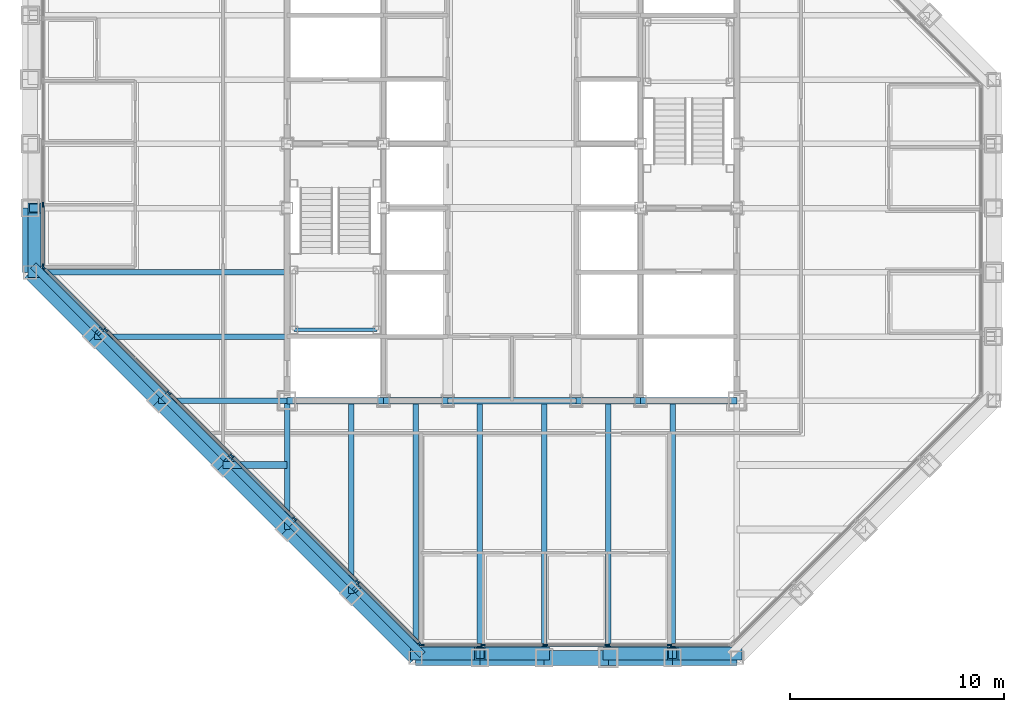
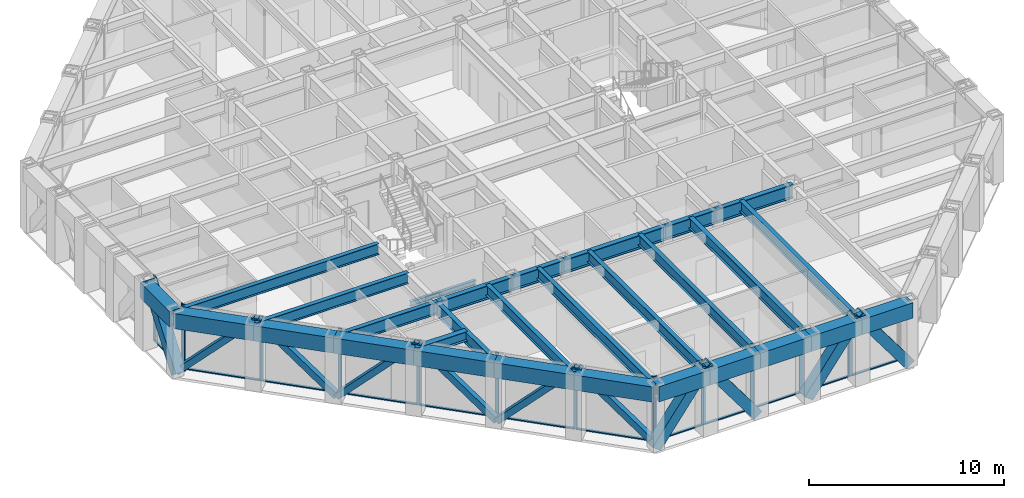
# One storey, part 5 of 16: 37 members, 29 beams, 3 elements without a shape of their own.
"""IFC4 building model written with IfcOpenShell, lengths in metres."""

from ifc_helpers import new_model, si_unit, direction, frame, origin, origin_2d, place, context, subcontext, project, spatial, rectangle, hollow_rectangle, i_section, extrude, material, layer, layer_set, material_profile, profile_set, type_object, element, aggregate, save


model = new_model("IFC4")

# Units and contexts
model_context = context("Model", 3, precision=1e-05, world=origin(), true_north=direction((0.0, 1.0)))
body_context = subcontext(model_context, "Body", "Model", "MODEL_VIEW")
ifc_project = project(units=[si_unit("LENGTHUNIT", "METRE"), si_unit("AREAUNIT", "SQUARE_METRE"), si_unit("VOLUMEUNIT", "CUBIC_METRE"), si_unit("PLANEANGLEUNIT", "RADIAN"), si_unit("MASSUNIT", "GRAM", prefix="KILO")], contexts=[model_context])

# Site, building, storey
site_placement = place(None, origin())
site = spatial("IfcSite", under=ifc_project, at=site_placement, CompositionType="ELEMENT")
building_placement = place(site_placement, origin())
building = spatial("IfcBuilding", under=site, at=building_placement, Name="Chuquiago Exchange Tower", CompositionType="ELEMENT")
storey_placement = place(building_placement, frame((0.0, 0.0, 243.300048828125)))
storey = spatial("IfcBuildingStorey", under=building, at=storey_placement, Name="L54", CompositionType="ELEMENT", Elevation=243.300048828125)

# Beams
ifc_material_1 = material(Name="Steel ASTM A992", Category="steel")
ifc_material_profile_1 = material_profile(ifc_material_1, i_section(OverallWidth=0.25390625, OverallDepth=0.683349609375, WebThickness=0.012451171875, FlangeThickness=0.018798828125, at=origin_2d()), Name="W27X94")
ifc_profile_set_1 = profile_set([ifc_material_profile_1], Name="Steel ASTM A992")
beam_type_1 = type_object("IfcBeamType", Name="B1 W27X94", PredefinedType="BEAM", material=ifc_profile_set_1)
beam_1_placement = place(storey_placement, frame((15.0, 12.0, 3.6982421875), z_axis=(0.0, -1.0, 0.0), x_axis=(1.0, 0.0, 0.0)))
element("IfcBeam", 1, at=beam_1_placement, inside=storey, type_object=beam_type_1, Name="FB-L55-infill-15_12-15_3-0", PredefinedType="BEAM", context=body_context, shape_type="SweptSolid", body=[
    extrude(i_section(OverallWidth=0.25390625, OverallDepth=0.683349609375, WebThickness=0.012451171875, FlangeThickness=0.018798828125, at=origin_2d()), origin(), (0.0, 0.0, 1.0), 9.0),
])
for number, where, z_axis, x_axis, name in (
    (2, (18.0, 12.0, 3.6982421875), (0.0, -1.0, 0.0), (1.0, 0.0, 0.0), "FB-L55-infill-18_12-18_-0-0"),
    (3, (21.0, 12.0, 3.6982421875), (0.0, -1.0, 0.0), (1.0, 0.0, 0.0), "FB-L55-infill-21_12-21_-0-0"),
    (4, (24.0, 12.0, 3.6982421875), (0.0, -1.0, 0.0), (1.0, 0.0, 0.0), "FB-L55-infill-24_12-24_-0-0"),
    (5, (27.0, 12.0, 3.6982421875), (0.0, -1.0, 0.0), (1.0, 0.0, 0.0), "FB-L55-infill-27_12-27_-0-0"),
    (6, (30.0, 12.0, 3.6982421875), (0.0, -1.0, 0.0), (1.0, 0.0, 0.0), "FB-L55-infill-30_12-30_-0-0"),
):
    element("IfcBeam", number, at=place(storey_placement, frame(where, z_axis=z_axis, x_axis=x_axis)), inside=storey, type_object=beam_type_1, Name=name, PredefinedType="BEAM", context=body_context, shape_type="SweptSolid", body=[
        extrude(i_section(OverallWidth=0.25390625, OverallDepth=0.683349609375, WebThickness=0.012451171875, FlangeThickness=0.018798828125, at=origin_2d()), origin(), (0.0, 0.0, 1.0), 12.0),
    ])
beam_2_placement = place(storey_placement, frame((12.0, 15.0, 3.6982421875), z_axis=(-1.0, 0.0, 0.0), x_axis=(0.0, -1.0, 0.0)))
element("IfcBeam", 7, at=beam_2_placement, inside=storey, type_object=beam_type_1, Name="FB-L55-infill-12_15-3_15-0", PredefinedType="BEAM", context=body_context, shape_type="SweptSolid", body=[
    extrude(i_section(OverallWidth=0.25390625, OverallDepth=0.683349609375, WebThickness=0.012451171875, FlangeThickness=0.018798828125, at=origin_2d()), origin(), (0.0, 0.0, 1.0), 9.0),
])
beam_3_placement = place(storey_placement, frame((12.0, 18.0, 3.6982421875), z_axis=(-1.0, 0.0, 0.0), x_axis=(0.0, -1.0, 0.0)))
element("IfcBeam", 8, at=beam_3_placement, inside=storey, type_object=beam_type_1, Name="FB-L55-infill-12_18--0_18-0", PredefinedType="BEAM", context=body_context, shape_type="SweptSolid", body=[
    extrude(i_section(OverallWidth=0.25390625, OverallDepth=0.683349609375, WebThickness=0.012451171875, FlangeThickness=0.018798828125, at=origin_2d()), origin(), (0.0, 0.0, 1.0), 12.0),
])
ifc_material_2 = material(Name="Steel ASTM A992", Category="steel")
ifc_material_profile_2 = material_profile(ifc_material_2, i_section(OverallWidth=0.3251953125, OverallDepth=0.612060546875, WebThickness=0.0126953125, FlangeThickness=0.01904296875, at=origin_2d()), Name="W24X104")
ifc_profile_set_2 = profile_set([ifc_material_profile_2], Name="Steel ASTM A992")
beam_type_2 = type_object("IfcBeamType", Name="B2 W24X104", PredefinedType="BEAM", material=ifc_profile_set_2)
beam_4_placement = place(storey_placement, frame((12.0, 9.0, 3.73388671875), z_axis=(-1.0, 0.0, 0.0), x_axis=(0.0, -1.0, 0.0)))
element("IfcBeam", 9, at=beam_4_placement, inside=storey, type_object=beam_type_2, Name="FB-L55-corner-12_9-9_9-0", PredefinedType="BEAM", context=body_context, shape_type="SweptSolid", body=[
    extrude(i_section(OverallWidth=0.3251953125, OverallDepth=0.612060546875, WebThickness=0.0126953125, FlangeThickness=0.01904296875, at=origin_2d()), origin(), (0.0, 0.0, 1.0), 3.0),
])
ifc_material_3 = material(Name="Steel ASTM A992", Category="steel")
ifc_material_profile_3 = material_profile(ifc_material_3, i_section(OverallWidth=0.2919921875, OverallDepth=0.8583984375, WebThickness=0.01708984375, FlangeThickness=0.031005859375, at=origin_2d()), Name="W33X169")
ifc_profile_set_3 = profile_set([ifc_material_profile_3], Name="Steel ASTM A992")
beam_type_3 = type_object("IfcBeamType", Name="B3 W33X169", PredefinedType="BEAM", material=ifc_profile_set_3)
beam_5_placement = place(storey_placement, frame((12.0, 12.0, 3.610595703125), z_axis=(1.0, 0.0, 0.0), x_axis=(0.0, 1.0, 0.0)))
element("IfcBeam", 10, at=beam_5_placement, inside=storey, type_object=beam_type_3, Name="CB-L55-12_12-16.5_12", PredefinedType="BEAM", context=body_context, shape_type="SweptSolid", body=[
    extrude(i_section(OverallWidth=0.2919921875, OverallDepth=0.8583984375, WebThickness=0.01708984375, FlangeThickness=0.031005859375, at=origin_2d()), origin(), (0.0, 0.0, 1.0), 4.5),
])
beam_6_placement = place(storey_placement, frame((16.5, 12.0, 3.610595703125), z_axis=(1.0, 0.0, 0.0), x_axis=(0.0, 1.0, 0.0)))
element("IfcBeam", 11, at=beam_6_placement, inside=storey, type_object=beam_type_3, Name="CB-L55-16.5_12-19.5_12", PredefinedType="BEAM", context=body_context, shape_type="SweptSolid", body=[
    extrude(i_section(OverallWidth=0.2919921875, OverallDepth=0.8583984375, WebThickness=0.01708984375, FlangeThickness=0.031005859375, at=origin_2d()), origin(), (0.0, 0.0, 1.0), 3.0),
])
beam_7_placement = place(storey_placement, frame((19.5, 12.0, 3.610595703125), z_axis=(1.0, 0.0, 0.0), x_axis=(0.0, 1.0, 0.0)))
element("IfcBeam", 12, at=beam_7_placement, inside=storey, type_object=beam_type_3, Name="CB-L55-19.5_12-25.5_12", PredefinedType="BEAM", context=body_context, shape_type="SweptSolid", body=[
    extrude(i_section(OverallWidth=0.2919921875, OverallDepth=0.8583984375, WebThickness=0.01708984375, FlangeThickness=0.031005859375, at=origin_2d()), origin(), (0.0, 0.0, 1.0), 6.0),
])
beam_8_placement = place(storey_placement, frame((25.5, 12.0, 3.610595703125), z_axis=(1.0, 0.0, 0.0), x_axis=(0.0, 1.0, 0.0)))
element("IfcBeam", 13, at=beam_8_placement, inside=storey, type_object=beam_type_3, Name="CB-L55-25.5_12-28.5_12", PredefinedType="BEAM", context=body_context, shape_type="SweptSolid", body=[
    extrude(i_section(OverallWidth=0.2919921875, OverallDepth=0.8583984375, WebThickness=0.01708984375, FlangeThickness=0.031005859375, at=origin_2d()), origin(), (0.0, 0.0, 1.0), 3.0),
])
beam_9_placement = place(storey_placement, frame((28.5, 12.0, 3.610595703125), z_axis=(1.0, 0.0, 0.0), x_axis=(0.0, 1.0, 0.0)))
element("IfcBeam", 14, at=beam_9_placement, inside=storey, type_object=beam_type_3, Name="CB-L55-28.5_12-33_12", PredefinedType="BEAM", context=body_context, shape_type="SweptSolid", body=[
    extrude(i_section(OverallWidth=0.2919921875, OverallDepth=0.8583984375, WebThickness=0.01708984375, FlangeThickness=0.031005859375, at=origin_2d()), origin(), (0.0, 0.0, 1.0), 4.5),
])

# Curtain wall, members
ifc_material_4 = material(Name="Aluminium curtain wall system", Category="aluminium")
ifc_layer_1 = layer(ifc_material_4, 0.22509765625)
ifc_layer_set_1 = layer_set([ifc_layer_1], Name="CW2 office curtain wall")
curtain_wall_type_1 = type_object("IfcCurtainWallType", Name="CW2 office curtain wall", PredefinedType="NOTDEFINED", material=ifc_layer_set_1)
curtain_wall_1_placement = place(storey_placement, origin())
curtain_wall_1 = element("IfcCurtainWall", 15, at=curtain_wall_1_placement, inside=storey, type_object=curtain_wall_type_1, Name="CW2 curtain wall L54", PredefinedType="NOTDEFINED")
ifc_material_5 = material(Name="Aluminium mullion, pale anodised", Category="aluminium")
ifc_material_profile_4 = material_profile(ifc_material_5, rectangle(XDim=0.06494140625, YDim=0.22509765625, at=origin_2d()), Name="AL 65x225")
ifc_profile_set_4 = profile_set([ifc_material_profile_4], Name="Aluminium mullion, pale anodised")
member_type_1 = type_object("IfcMemberType", Name="CW2-M mullion 65x225", PredefinedType="MULLION", material=ifc_profile_set_4)
member_1_placement = place(storey_placement, frame((18.281005859375, 0.60009765625, 0.0), z_axis=(0.0, 0.0, 1.0), x_axis=(0.0, 1.0, 0.0)))
member_1 = element("IfcMember", 16, at=member_1_placement, type_object=member_type_1, Name="CW2 mullion 1", PredefinedType="MULLION", context=body_context, shape_type="SweptSolid", body=[
    extrude(rectangle(XDim=0.06494140625, YDim=0.22509765625, at=origin_2d()), origin(), (0.0, 0.0, 1.0), 4.0400390625),
])
member_2_placement = place(storey_placement, frame((21.149169921875, 0.60009765625, 0.0), z_axis=(0.0, 0.0, 1.0), x_axis=(0.0, 1.0, 0.0)))
member_2 = element("IfcMember", 17, at=member_2_placement, type_object=member_type_1, Name="CW2 mullion 2", PredefinedType="MULLION", context=body_context, shape_type="SweptSolid", body=[
    extrude(rectangle(XDim=0.06494140625, YDim=0.22509765625, at=origin_2d()), origin(), (0.0, 0.0, 1.0), 4.0400390625),
])
member_3_placement = place(storey_placement, frame((24.0498046875, 0.60009765625, 0.0), z_axis=(0.0, 0.0, 1.0), x_axis=(0.0, 1.0, 0.0)))
member_3 = element("IfcMember", 18, at=member_3_placement, type_object=member_type_1, Name="CW2 mullion 3", PredefinedType="MULLION", context=body_context, shape_type="SweptSolid", body=[
    extrude(rectangle(XDim=0.06494140625, YDim=0.22509765625, at=origin_2d()), origin(), (0.0, 0.0, 1.0), 4.0400390625),
])
member_4_placement = place(storey_placement, frame((26.9501953125, 0.60009765625, 0.0), z_axis=(0.0, 0.0, 1.0), x_axis=(0.0, 1.0, 0.0)))
member_4 = element("IfcMember", 19, at=member_4_placement, type_object=member_type_1, Name="CW2 mullion 4", PredefinedType="MULLION", context=body_context, shape_type="SweptSolid", body=[
    extrude(rectangle(XDim=0.06494140625, YDim=0.22509765625, at=origin_2d()), origin(), (0.0, 0.0, 1.0), 4.0400390625),
])
member_5_placement = place(storey_placement, frame((29.850830078125, 0.60009765625, 0.0), z_axis=(0.0, 0.0, 1.0), x_axis=(0.0, 1.0, 0.0)))
member_5 = element("IfcMember", 20, at=member_5_placement, type_object=member_type_1, Name="CW2 mullion 5", PredefinedType="MULLION", context=body_context, shape_type="SweptSolid", body=[
    extrude(rectangle(XDim=0.06494140625, YDim=0.22509765625, at=origin_2d()), origin(), (0.0, 0.0, 1.0), 4.0400390625),
])

curtain_wall_2_placement = place(storey_placement, origin())
curtain_wall_2 = element("IfcCurtainWall", 21, at=curtain_wall_2_placement, inside=storey, type_object=curtain_wall_type_1, Name="CW2 curtain wall L54", PredefinedType="NOTDEFINED")
member_6_placement = place(storey_placement, frame((0.60009765625, 21.149169921875, 0.0), z_axis=(0.0, 0.0, 1.0), x_axis=(1.0, 0.0, 0.0)))
member_6 = element("IfcMember", 22, at=member_6_placement, type_object=member_type_1, Name="CW2 mullion 5", PredefinedType="MULLION", context=body_context, shape_type="SweptSolid", body=[
    extrude(rectangle(XDim=0.06494140625, YDim=0.22509765625, at=origin_2d()), origin(), (0.0, 0.0, 1.0), 4.0400390625),
])
member_7_placement = place(storey_placement, frame((0.60009765625, 18.281005859375, 0.0), z_axis=(0.0, 0.0, 1.0), x_axis=(1.0, 0.0, 0.0)))
member_7 = element("IfcMember", 23, at=member_7_placement, type_object=member_type_1, Name="CW2 mullion 6", PredefinedType="MULLION", context=body_context, shape_type="SweptSolid", body=[
    extrude(rectangle(XDim=0.06494140625, YDim=0.22509765625, at=origin_2d()), origin(), (0.0, 0.0, 1.0), 4.0400390625),
])

# Member
ifc_material_6 = material(Name="Aluminium transom, pale anodised", Category="aluminium")
ifc_material_profile_5 = material_profile(ifc_material_6, rectangle(XDim=0.139892578125, YDim=0.06494140625, at=origin_2d()), Name="AL 140x65")
ifc_profile_set_5 = profile_set([ifc_material_profile_5], Name="Aluminium transom, pale anodised")
member_type_2 = type_object("IfcMemberType", Name="CW2-T transom 65x140", PredefinedType="MULLION", material=ifc_profile_set_5)
member_8_placement = place(storey_placement, frame((18.3134765625, 0.60009765625, 0.032470703125), z_axis=(1.0, 0.0, 0.0), x_axis=(0.0, 1.0, 0.0)))
member_8 = element("IfcMember", 24, at=member_8_placement, type_object=member_type_2, Name="CW2 transom 1.1", PredefinedType="MULLION", context=body_context, shape_type="SweptSolid", body=[
    extrude(rectangle(XDim=0.139892578125, YDim=0.06494140625, at=origin_2d()), origin(), (0.0, 0.0, 1.0), 2.80322265625),
])

member_9_placement = place(storey_placement, frame((21.181640625, 0.60009765625, 0.032470703125), z_axis=(1.0, 0.0, 0.0), x_axis=(0.0, 1.0, 0.0)))
member_9 = element("IfcMember", 25, at=member_9_placement, type_object=member_type_2, Name="CW2 transom 2.1", PredefinedType="MULLION", context=body_context, shape_type="SweptSolid", body=[
    extrude(rectangle(XDim=0.139892578125, YDim=0.06494140625, at=origin_2d()), origin(), (0.0, 0.0, 1.0), 2.83544921875),
])

member_10_placement = place(storey_placement, frame((24.082275390625, 0.60009765625, 0.032470703125), z_axis=(1.0, 0.0, 0.0), x_axis=(0.0, 1.0, 0.0)))
member_10 = element("IfcMember", 26, at=member_10_placement, type_object=member_type_2, Name="CW2 transom 3.1", PredefinedType="MULLION", context=body_context, shape_type="SweptSolid", body=[
    extrude(rectangle(XDim=0.139892578125, YDim=0.06494140625, at=origin_2d()), origin(), (0.0, 0.0, 1.0), 2.83544921875),
])

member_11_placement = place(storey_placement, frame((26.98291015625, 0.60009765625, 0.032470703125), z_axis=(1.0, 0.0, 0.0), x_axis=(0.0, 1.0, 0.0)))
member_11 = element("IfcMember", 27, at=member_11_placement, type_object=member_type_2, Name="CW2 transom 4.1", PredefinedType="MULLION", context=body_context, shape_type="SweptSolid", body=[
    extrude(rectangle(XDim=0.139892578125, YDim=0.06494140625, at=origin_2d()), origin(), (0.0, 0.0, 1.0), 2.83544921875),
])

member_12_placement = place(storey_placement, frame((29.88330078125, 0.60009765625, 0.032470703125), z_axis=(1.0, 0.0, 0.0), x_axis=(0.0, 1.0, 0.0)))
member_12 = element("IfcMember", 28, at=member_12_placement, type_object=member_type_2, Name="CW2 transom 5.1", PredefinedType="MULLION", context=body_context, shape_type="SweptSolid", body=[
    extrude(rectangle(XDim=0.139892578125, YDim=0.06494140625, at=origin_2d()), origin(), (0.0, 0.0, 1.0), 2.80322265625),
])

aggregate(curtain_wall_1, [member_1, member_2, member_3, member_4, member_5, member_8, member_9, member_10, member_11, member_12])

member_13_placement = place(storey_placement, frame((0.60009765625, 21.11669921875, 0.032470703125), z_axis=(0.0, -1.0, 0.0), x_axis=(1.0, 0.0, 0.0)))
member_13 = element("IfcMember", 29, at=member_13_placement, type_object=member_type_2, Name="CW2 transom 5.1", PredefinedType="MULLION", context=body_context, shape_type="SweptSolid", body=[
    extrude(rectangle(XDim=0.139892578125, YDim=0.06494140625, at=origin_2d()), origin(), (0.0, 0.0, 1.0), 2.80322265625),
])

aggregate(curtain_wall_2, [member_6, member_7, member_13])

# Curtain wall, members
ifc_material_7 = material(Name="Aluminium curtain wall system", Category="aluminium")
ifc_layer_2 = layer(ifc_material_7, 0.199951171875)
ifc_layer_set_2 = layer_set([ifc_layer_2], Name="CW3 facet curtain wall")
curtain_wall_type_2 = type_object("IfcCurtainWallType", Name="CW3 facet curtain wall", PredefinedType="NOTDEFINED", material=ifc_layer_set_2)
curtain_wall_3_placement = place(storey_placement, origin())
curtain_wall_3 = element("IfcCurtainWall", 30, at=curtain_wall_3_placement, inside=storey, type_object=curtain_wall_type_2, Name="CW3 curtain wall L54", PredefinedType="NOTDEFINED")
ifc_material_8 = material(Name="Aluminium mullion, pale anodised", Category="aluminium")
ifc_material_profile_6 = material_profile(ifc_material_8, rectangle(XDim=0.06494140625, YDim=0.199951171875, at=origin_2d()), Name="AL 65x200")
ifc_profile_set_6 = profile_set([ifc_material_profile_6], Name="Aluminium mullion, pale anodised")
member_type_3 = type_object("IfcMemberType", Name="CW3-M mullion 65x200", PredefinedType="MULLION", material=ifc_profile_set_6)
member_14_placement = place(storey_placement, frame((0.623046875, 18.2255859375, 0.0), z_axis=(0.0, 0.0, 1.0), x_axis=(0.707106781187, 0.707106781187, 0.0)))
member_14 = element("IfcMember", 31, at=member_14_placement, type_object=member_type_3, Name="CW3 mullion 1", PredefinedType="MULLION", context=body_context, shape_type="SweptSolid", body=[
    extrude(rectangle(XDim=0.06494140625, YDim=0.199951171875, at=origin_2d()), origin(), (0.0, 0.0, 1.0), 4.0400390625),
])
member_15_placement = place(storey_placement, frame((3.54150390625, 15.30712890625, 0.0), z_axis=(0.0, 0.0, 1.0), x_axis=(0.707106781187, 0.707106781187, 0.0)))
member_15 = element("IfcMember", 32, at=member_15_placement, type_object=member_type_3, Name="CW3 mullion 2", PredefinedType="MULLION", context=body_context, shape_type="SweptSolid", body=[
    extrude(rectangle(XDim=0.06494140625, YDim=0.199951171875, at=origin_2d()), origin(), (0.0, 0.0, 1.0), 4.0400390625),
])
member_16_placement = place(storey_placement, frame((6.48291015625, 12.36572265625, 0.0), z_axis=(0.0, 0.0, 1.0), x_axis=(0.707106781187, 0.707106781187, 0.0)))
member_16 = element("IfcMember", 33, at=member_16_placement, type_object=member_type_3, Name="CW3 mullion 3", PredefinedType="MULLION", context=body_context, shape_type="SweptSolid", body=[
    extrude(rectangle(XDim=0.06494140625, YDim=0.199951171875, at=origin_2d()), origin(), (0.0, 0.0, 1.0), 4.0400390625),
])
member_17_placement = place(storey_placement, frame((9.42431640625, 9.42431640625, 0.0), z_axis=(0.0, 0.0, 1.0), x_axis=(0.707106781187, 0.707106781187, 0.0)))
member_17 = element("IfcMember", 34, at=member_17_placement, type_object=member_type_3, Name="CW3 mullion 4", PredefinedType="MULLION", context=body_context, shape_type="SweptSolid", body=[
    extrude(rectangle(XDim=0.06494140625, YDim=0.199951171875, at=origin_2d()), origin(), (0.0, 0.0, 1.0), 4.0400390625),
])
member_18_placement = place(storey_placement, frame((12.36572265625, 6.48291015625, 0.0), z_axis=(0.0, 0.0, 1.0), x_axis=(0.707106781187, 0.707106781187, 0.0)))
member_18 = element("IfcMember", 35, at=member_18_placement, type_object=member_type_3, Name="CW3 mullion 5", PredefinedType="MULLION", context=body_context, shape_type="SweptSolid", body=[
    extrude(rectangle(XDim=0.06494140625, YDim=0.199951171875, at=origin_2d()), origin(), (0.0, 0.0, 1.0), 4.0400390625),
])
member_19_placement = place(storey_placement, frame((15.30712890625, 3.54150390625, 0.0), z_axis=(0.0, 0.0, 1.0), x_axis=(0.707106781187, 0.707106781187, 0.0)))
member_19 = element("IfcMember", 36, at=member_19_placement, type_object=member_type_3, Name="CW3 mullion 6", PredefinedType="MULLION", context=body_context, shape_type="SweptSolid", body=[
    extrude(rectangle(XDim=0.06494140625, YDim=0.199951171875, at=origin_2d()), origin(), (0.0, 0.0, 1.0), 4.0400390625),
])
member_20_placement = place(storey_placement, frame((18.2255859375, 0.623046875, 0.0), z_axis=(0.0, 0.0, 1.0), x_axis=(0.707106781187, 0.707106781187, 0.0)))
member_20 = element("IfcMember", 37, at=member_20_placement, type_object=member_type_3, Name="CW3 mullion 7", PredefinedType="MULLION", context=body_context, shape_type="SweptSolid", body=[
    extrude(rectangle(XDim=0.06494140625, YDim=0.199951171875, at=origin_2d()), origin(), (0.0, 0.0, 1.0), 4.0400390625),
])
ifc_material_9 = material(Name="Aluminium transom, pale anodised", Category="aluminium")
ifc_material_profile_7 = material_profile(ifc_material_9, rectangle(XDim=0.139892578125, YDim=0.06494140625, at=origin_2d()), Name="AL 140x65")
ifc_profile_set_7 = profile_set([ifc_material_profile_7], Name="Aluminium transom, pale anodised")
member_type_4 = type_object("IfcMemberType", Name="CW3-T transom 65x140", PredefinedType="MULLION", material=ifc_profile_set_7)
member_21_placement = place(storey_placement, frame((0.64599609375, 18.20263671875, 0.032470703125), z_axis=(0.707106781187, -0.707106781187, 0.0), x_axis=(0.707106781187, 0.707106781187, 0.0)))
member_21 = element("IfcMember", 38, at=member_21_placement, type_object=member_type_4, Name="CW3 transom 1.1", PredefinedType="MULLION", context=body_context, shape_type="SweptSolid", body=[
    extrude(rectangle(XDim=0.139892578125, YDim=0.06494140625, at=origin_2d()), origin(), (0.0, 0.0, 1.0), 4.0625),
])
member_22_placement = place(storey_placement, frame((3.564453125, 15.2841796875, 0.032470703125), z_axis=(0.707106781187, -0.707106781187, 0.0), x_axis=(0.707106781187, 0.707106781187, 0.0)))
member_22 = element("IfcMember", 39, at=member_22_placement, type_object=member_type_4, Name="CW3 transom 2.1", PredefinedType="MULLION", context=body_context, shape_type="SweptSolid", body=[
    extrude(rectangle(XDim=0.139892578125, YDim=0.06494140625, at=origin_2d()), origin(), (0.0, 0.0, 1.0), 4.094970703125),
])
member_23_placement = place(storey_placement, frame((6.505859375, 12.3427734375, 0.032470703125), z_axis=(0.707106781187, -0.707106781187, 0.0), x_axis=(0.707106781187, 0.707106781187, 0.0)))
member_23 = element("IfcMember", 40, at=member_23_placement, type_object=member_type_4, Name="CW3 transom 3.1", PredefinedType="MULLION", context=body_context, shape_type="SweptSolid", body=[
    extrude(rectangle(XDim=0.139892578125, YDim=0.06494140625, at=origin_2d()), origin(), (0.0, 0.0, 1.0), 4.094970703125),
])
member_24_placement = place(storey_placement, frame((9.447265625, 9.4013671875, 0.032470703125), z_axis=(0.707106781187, -0.707106781187, 0.0), x_axis=(0.707106781187, 0.707106781187, 0.0)))
member_24 = element("IfcMember", 41, at=member_24_placement, type_object=member_type_4, Name="CW3 transom 4.1", PredefinedType="MULLION", context=body_context, shape_type="SweptSolid", body=[
    extrude(rectangle(XDim=0.139892578125, YDim=0.06494140625, at=origin_2d()), origin(), (0.0, 0.0, 1.0), 4.094970703125),
])
member_25_placement = place(storey_placement, frame((12.388671875, 6.4599609375, 0.032470703125), z_axis=(0.707106781187, -0.707106781187, 0.0), x_axis=(0.707106781187, 0.707106781187, 0.0)))
member_25 = element("IfcMember", 42, at=member_25_placement, type_object=member_type_4, Name="CW3 transom 5.1", PredefinedType="MULLION", context=body_context, shape_type="SweptSolid", body=[
    extrude(rectangle(XDim=0.139892578125, YDim=0.06494140625, at=origin_2d()), origin(), (0.0, 0.0, 1.0), 4.094970703125),
])
member_26_placement = place(storey_placement, frame((15.330078125, 3.5185546875, 0.032470703125), z_axis=(0.707106781187, -0.707106781187, 0.0), x_axis=(0.707106781187, 0.707106781187, 0.0)))
member_26 = element("IfcMember", 43, at=member_26_placement, type_object=member_type_4, Name="CW3 transom 6.1", PredefinedType="MULLION", context=body_context, shape_type="SweptSolid", body=[
    extrude(rectangle(XDim=0.139892578125, YDim=0.06494140625, at=origin_2d()), origin(), (0.0, 0.0, 1.0), 4.0625),
])
aggregate(curtain_wall_3, [member_14, member_15, member_16, member_17, member_18, member_19, member_20, member_21, member_22, member_23, member_24, member_25, member_26])

# Beams
ifc_material_10 = material(Name="Steel ASTM A992", Category="steel")
ifc_material_profile_8 = material_profile(ifc_material_10, i_section(OverallWidth=0.2666015625, OverallDepth=0.76953125, WebThickness=0.015625, FlangeThickness=0.025390625, at=origin_2d()), Name="W30X132")
ifc_profile_set_8 = profile_set([ifc_material_profile_8], Name="Steel ASTM A992")
beam_type_4 = type_object("IfcBeamType", Name="G1 W30X132", PredefinedType="BEAM", material=ifc_profile_set_8)
for number, where, z_axis, x_axis, name in (
    (44, (12.0, 12.0, 3.655029296875), (0.0, -1.0, 0.0), (1.0, 0.0, 0.0), "FB-L55-girder-12_12-12_6-0"),
    (45, (12.0, 12.0, 3.655029296875), (-1.0, 0.0, 0.0), (0.0, -1.0, 0.0), "FB-L55-girder-12_12-6_12-0"),
):
    element("IfcBeam", number, at=place(storey_placement, frame(where, z_axis=z_axis, x_axis=x_axis)), inside=storey, type_object=beam_type_4, Name=name, PredefinedType="BEAM", context=body_context, shape_type="SweptSolid", body=[
        extrude(i_section(OverallWidth=0.2666015625, OverallDepth=0.76953125, WebThickness=0.015625, FlangeThickness=0.025390625, at=origin_2d()), origin(), (0.0, 0.0, 1.0), 6.0),
    ])

# Members
ifc_material_11 = material(Name="Steel ASTM A500 Grade C", Category="steel")
ifc_material_profile_9 = material_profile(ifc_material_11, hollow_rectangle(XDim=0.355712890625, YDim=0.355712890625, WallThickness=0.0146484375, at=origin_2d()), Name="HSS14X14X5/8")
ifc_profile_set_9 = profile_set([ifc_material_profile_9], Name="Steel ASTM A500 Grade C")
member_type_5 = type_object("IfcMemberType", Name="LB2 HSS14X14X5/8", PredefinedType="BRACE", material=ifc_profile_set_9)
for number, where, z_axis, x_axis, name in (
    (46, (0.2314453125, 18.2314453125, 0.0), (0.512077265487, -0.512077265487, 0.689604051861), (0.707106781187, 0.707106781187, 0.0), "LB-L54-0_18-3_15"),
    (47, (6.2314453125, 12.2314453125, 0.0), (-0.512077265487, 0.512077265487, 0.689604051861), (-0.707106781187, -0.707106781187, 0.0), "LB-L54-3_15-6_12"),
    (48, (6.2314453125, 12.2314453125, 0.0), (0.512077265487, -0.512077265487, 0.689604051861), (0.707106781187, 0.707106781187, 0.0), "LB-L54-6_12-9_9"),
    (49, (12.2314453125, 6.2314453125, 0.0), (-0.512077265487, 0.512077265487, 0.689604051861), (-0.707106781187, -0.707106781187, 0.0), "LB-L54-9_9-12_6"),
    (50, (12.2314453125, 6.2314453125, 0.0), (0.512077265487, -0.512077265487, 0.689604051861), (0.707106781187, 0.707106781187, 0.0), "LB-L54-12_6-15_3"),
    (51, (18.2314453125, 0.2314453125, 0.0), (-0.512077265487, 0.512077265487, 0.689604051861), (-0.707106781187, -0.707106781187, 0.0), "LB-L54-15_3-18_0"),
):
    element("IfcMember", number, at=place(storey_placement, frame(where, z_axis=z_axis, x_axis=x_axis)), inside=storey, type_object=member_type_5, Name=name, PredefinedType="BRACE", context=body_context, shape_type="SweptSolid", body=[
        extrude(hollow_rectangle(XDim=0.355712890625, YDim=0.355712890625, WallThickness=0.0146484375, at=origin_2d()), origin(), (0.0, 0.0, 1.0), 5.8583984375),
    ])

# Beam
ifc_material_12 = material(Name="Steel ASTM A992", Category="steel")
ifc_material_profile_10 = material_profile(ifc_material_12, i_section(OverallWidth=0.164794921875, OverallDepth=0.309814453125, WebThickness=0.005859375, FlangeThickness=0.009765625, at=origin_2d()), Name="W12X26")
ifc_profile_set_10 = profile_set([ifc_material_profile_10], Name="Steel ASTM A992")
beam_type_5 = type_object("IfcBeamType", Name="LT1 W12X26", PredefinedType="BEAM", material=ifc_profile_set_10)
beam_10_placement = place(storey_placement, frame((12.31005859375, 15.31005859375, 1.7451171875), z_axis=(1.0, 0.0, 0.0), x_axis=(0.0, 1.0, 0.0)))
element("IfcBeam", 52, at=beam_10_placement, inside=storey, type_object=beam_type_5, Name="Stair ST1 L54 landing 1 trimmer", PredefinedType="BEAM", context=body_context, shape_type="SweptSolid", body=[
    extrude(i_section(OverallWidth=0.164794921875, OverallDepth=0.309814453125, WebThickness=0.005859375, FlangeThickness=0.009765625, at=origin_2d()), origin(), (0.0, 0.0, 1.0), 3.8798828125),
])

# Members
ifc_material_13 = material(Name="Steel ASTM A572 Grade 50", Category="steel")
ifc_material_profile_11 = material_profile(ifc_material_13, hollow_rectangle(XDim=0.60009765625, YDim=0.60009765625, WallThickness=0.06005859375, at=origin_2d()), Name="BOX600X600X60")
ifc_profile_set_11 = profile_set([ifc_material_profile_11], Name="Steel ASTM A572 Grade 50")
member_type_6 = type_object("IfcMemberType", Name="MB3 BOX600X600X60", PredefinedType="BRACE", material=ifc_profile_set_11)
for number, where, z_axis, x_axis, name in (
    (53, (18.0, 0.205078125, 0.0), (0.596173923302, 0.0, 0.802855312728), (0.0, 1.0, 0.0), "Mega diagonal L54 S face"),
    (54, (24.0, 0.205078125, 0.0), (-0.596173923302, 0.0, 0.802855312728), (0.0, -1.0, 0.0), "Mega diagonal L54 S face"),
    (55, (27.0, 0.205078125, 0.0), (0.596173923302, 0.0, 0.802855312728), (0.0, 1.0, 0.0), "Mega diagonal L54 S face"),
    (56, (33.0, 0.205078125, 0.0), (-0.596173923302, 0.0, 0.802855312728), (0.0, -1.0, 0.0), "Mega diagonal L54 S face"),
    (57, (0.205078125, 18.0, 0.0), (0.0, 0.596173923302, 0.802855312728), (-1.0, 0.0, 0.0), "Mega diagonal L54 W face"),
):
    element("IfcMember", number, at=place(storey_placement, frame(where, z_axis=z_axis, x_axis=x_axis)), inside=storey, type_object=member_type_6, Name=name, PredefinedType="BRACE", context=body_context, shape_type="SweptSolid", body=[
        extrude(hollow_rectangle(XDim=0.60009765625, YDim=0.60009765625, WallThickness=0.06005859375, at=origin_2d()), origin(), (0.0, 0.0, 1.0), 5.031982421875),
    ])

# Beams
ifc_material_14 = material(Name="Steel ASTM A572 Grade 50", Category="steel")
ifc_material_profile_12 = material_profile(ifc_material_14, hollow_rectangle(XDim=0.699951171875, YDim=0.949951171875, WallThickness=0.10009765625, at=origin_2d()), Name="BOX950X700X100")
ifc_profile_set_12 = profile_set([ifc_material_profile_12], Name="Steel ASTM A572 Grade 50")
beam_type_6 = type_object("IfcBeamType", Name="SP5 BOX950X700X100", PredefinedType="SPANDREL", material=ifc_profile_set_12)
for number, where, z_axis, x_axis, name in (
    (58, (18.0, 0.0, 3.56494140625), (1.0, 0.0, 0.0), (0.0, 1.0, 0.0), "SPB-L55-18_0-21_0"),
    (59, (21.0, 0.0, 3.56494140625), (1.0, 0.0, 0.0), (0.0, 1.0, 0.0), "SPB-L55-21_0-24_0"),
    (60, (24.0, 0.0, 3.56494140625), (1.0, 0.0, 0.0), (0.0, 1.0, 0.0), "SPB-L55-24_0-27_0"),
    (61, (27.0, 0.0, 3.56494140625), (1.0, 0.0, 0.0), (0.0, 1.0, 0.0), "SPB-L55-27_0-30_0"),
    (62, (30.0, 0.0, 3.56494140625), (1.0, 0.0, 0.0), (0.0, 1.0, 0.0), "SPB-L55-30_0-33_0"),
    (63, (0.0, 21.0, 3.56494140625), (0.0, -1.0, 0.0), (1.0, 0.0, 0.0), "SPB-L55-0_21-0_18"),
):
    element("IfcBeam", number, at=place(storey_placement, frame(where, z_axis=z_axis, x_axis=x_axis)), inside=storey, type_object=beam_type_6, Name=name, PredefinedType="SPANDREL", context=body_context, shape_type="SweptSolid", body=[
        extrude(hollow_rectangle(XDim=0.699951171875, YDim=0.949951171875, WallThickness=0.10009765625, at=origin_2d()), origin(), (0.0, 0.0, 1.0), 3.0),
    ])
for number, where, z_axis, x_axis, name in (
    (64, (0.0, 18.0, 3.56494140625), (0.707106781187, -0.707106781187, 0.0), (0.707106781187, 0.707106781187, 0.0), "SPB-L55-0_18-3_15"),
    (65, (3.0, 15.0, 3.56494140625), (0.707106781187, -0.707106781187, 0.0), (0.707106781187, 0.707106781187, 0.0), "SPB-L55-3_15-6_12"),
    (66, (6.0, 12.0, 3.56494140625), (0.707106781187, -0.707106781187, 0.0), (0.707106781187, 0.707106781187, 0.0), "SPB-L55-6_12-9_9"),
    (67, (9.0, 9.0, 3.56494140625), (0.707106781187, -0.707106781187, 0.0), (0.707106781187, 0.707106781187, 0.0), "SPB-L55-9_9-12_6"),
    (68, (12.0, 6.0, 3.56494140625), (0.707106781187, -0.707106781187, 0.0), (0.707106781187, 0.707106781187, 0.0), "SPB-L55-12_6-15_3"),
    (69, (15.0, 3.0, 3.56494140625), (0.707106781187, -0.707106781187, 0.0), (0.707106781187, 0.707106781187, 0.0), "SPB-L55-15_3-18_0"),
):
    element("IfcBeam", number, at=place(storey_placement, frame(where, z_axis=z_axis, x_axis=x_axis)), inside=storey, type_object=beam_type_6, Name=name, PredefinedType="SPANDREL", context=body_context, shape_type="SweptSolid", body=[
        extrude(hollow_rectangle(XDim=0.699951171875, YDim=0.949951171875, WallThickness=0.10009765625, at=origin_2d()), origin(), (0.0, 0.0, 1.0), 4.24267578125),
    ])

save(model, "model.ifc")
